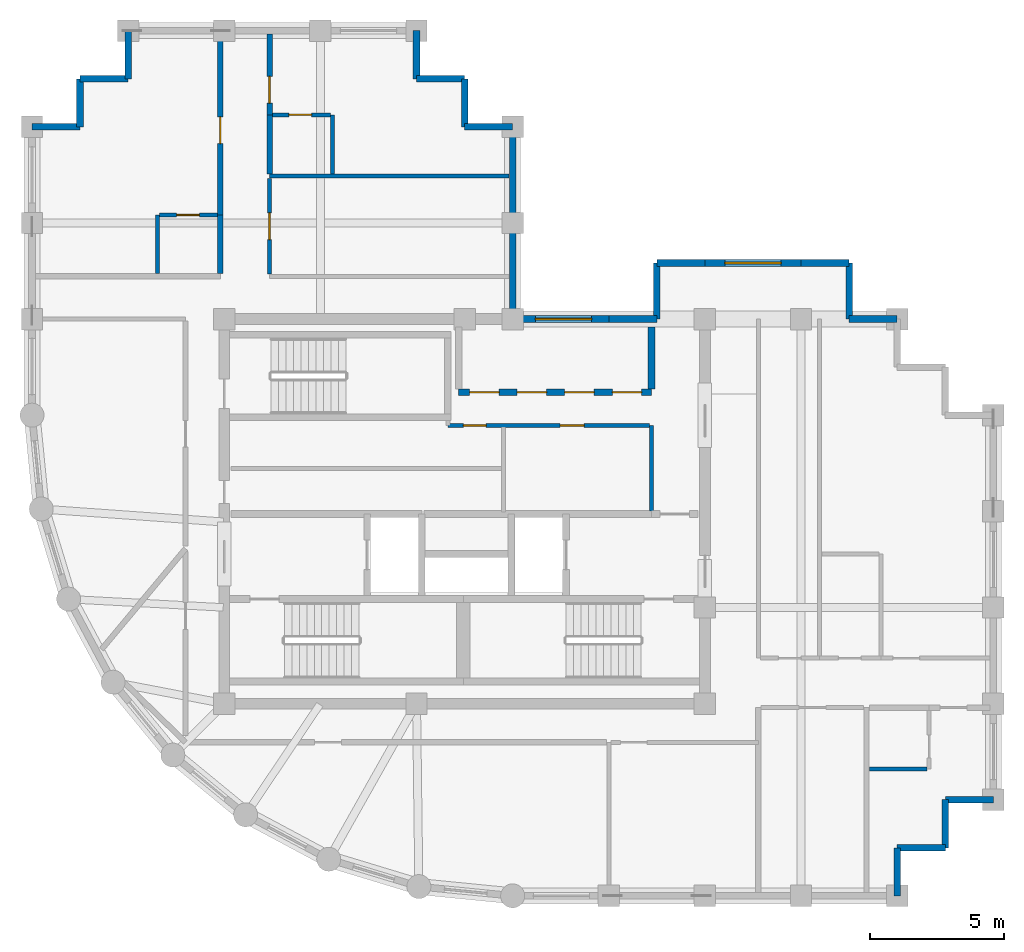
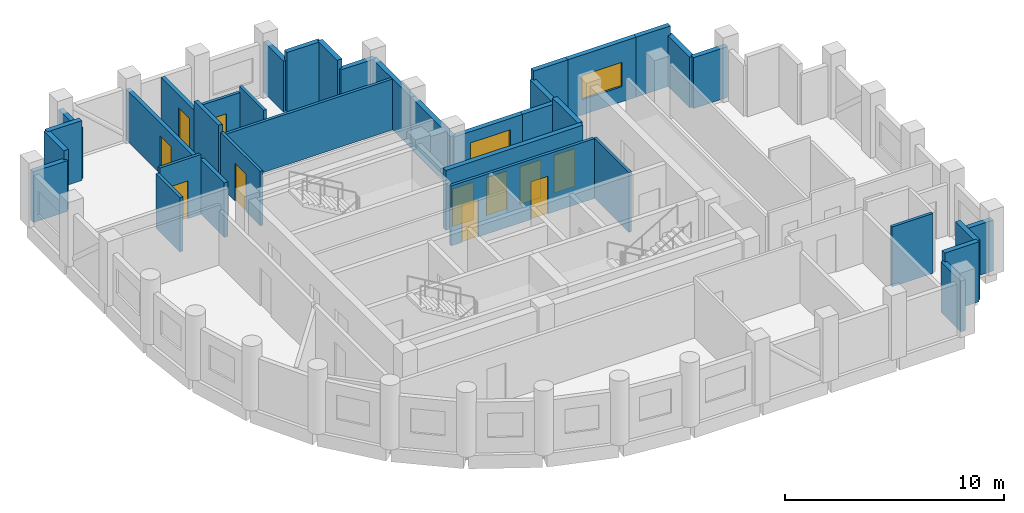
# One storey, part 4 of 6: 37 walls, 11 doors, 2 windows, 13 openings.
"""IFC4 building model written with IfcOpenShell, lengths in metres."""

from ifc_helpers import new_model, si_unit, direction, frame, frame_2d, origin, place, context, subcontext, project, spatial, rectangle, extrude, material, layer, layer_set, type_object, element, fill, save


model = new_model("IFC4")

# Units and contexts
model_context = context("Model", 3, precision=1e-05, world=origin(), true_north=direction((0.0, 1.0)))
body_context = subcontext(model_context, "Body", "Model", "MODEL_VIEW")
ifc_project = project(units=[si_unit("LENGTHUNIT", "METRE"), si_unit("AREAUNIT", "SQUARE_METRE"), si_unit("VOLUMEUNIT", "CUBIC_METRE"), si_unit("PLANEANGLEUNIT", "RADIAN"), si_unit("MASSUNIT", "GRAM", prefix="KILO")], contexts=[model_context])

# Site, building, storey
site_placement = place(None, origin())
site = spatial("IfcSite", under=ifc_project, at=site_placement, CompositionType="ELEMENT")
building_placement = place(site_placement, origin())
building = spatial("IfcBuilding", under=site, at=building_placement, Name="Solnavia Interchange Tower", CompositionType="ELEMENT")
storey_placement = place(building_placement, frame((0.0, 0.0, 255.800048828125)))
storey = spatial("IfcBuildingStorey", under=building, at=storey_placement, Name="L64", CompositionType="ELEMENT", Elevation=255.800048828125)

# Wall
ifc_material_1 = material(Name="Gypsum Acoustic Twin-Stud & Mineral Wool", Category="gypsum")
ifc_layer_1 = layer(ifc_material_1, 0.199951171875)
ifc_layer_set_1 = layer_set([ifc_layer_1], Name="Gypsum Acoustic Twin-Stud & Mineral Wool")
wall_type_1 = type_object("IfcWallType", Name="Wall-ApartmentParty-200", PredefinedType="PARTITIONING", material=ifc_layer_set_1)
wall_1_placement = place(storey_placement, frame((14.25, 26.904052734375, 0.0), z_axis=(0.0, 0.0, 1.0), x_axis=(0.0, 1.0, 0.0)))
element("IfcWall", 1, at=wall_1_placement, inside=storey, type_object=wall_type_1, Name="PTW-L64-24 Interior partition wall", PredefinedType="PARTITIONING", context=body_context, shape_type="SweptSolid", body=[
    extrude(rectangle(XDim=2.196044921875, YDim=0.199951171875, at=frame_2d((1.09814453125, 0.0))), origin(), (0.0, 0.0, 1.0), 3.030029296875),
])

# Wall, opening, door
wall_2_placement = place(storey_placement, frame((14.25, 29.10009765625, 0.0), z_axis=(0.0, 0.0, 1.0), x_axis=(0.0, 1.0, 0.0)))
wall_2 = element("IfcWall", 2, at=wall_2_placement, inside=storey, type_object=wall_type_1, Name="PTW-L64-25 Interior partition wall", PredefinedType="PARTITIONING", context=body_context, shape_type="SweptSolid", body=[
    extrude(rectangle(XDim=6.77099609375, YDim=0.199951171875, at=frame_2d((3.385498046875, 0.0))), origin(), (0.0, 0.0, 1.0), 2.829833984375),
])
opening_1_placement = place(wall_2_placement, frame((2.6708984375, 0.0, 0.0)))
opening_1 = element("IfcOpeningElement", 3, at=opening_1_placement, cuts=wall_2, Name="Opening DR-06", PredefinedType="OPENING", context=body_context, shape_type="SweptSolid", body=[
    extrude(rectangle(XDim=1.0, YDim=2.10009765625, at=frame_2d((0.5, 1.050048828125))), frame((0.0, 0.10986328125, 0.0), z_axis=(0.0, -1.0, 0.0), x_axis=(1.0, 0.0, 0.0)), (0.0, 0.0, 1.0), 0.219970703125),
])
ifc_material_2 = material(Name="Engineered Timber Acoustic Fire Door", Category="wood")
door_type_1 = type_object("IfcDoorType", Name="Door-FlatEntry-1000x2100", OperationType="SINGLE_SWING_LEFT", PredefinedType="DOOR", material=ifc_material_2)
door_1_placement = place(opening_1_placement, origin())
door_1 = element("IfcDoor", 4, at=door_1_placement, inside=storey, type_object=door_type_1, Name="DR-L64-11 Interior room door", OperationType="SINGLE_SWING_RIGHT", OverallHeight=2.10009765625, OverallWidth=1.0, PredefinedType="DOOR", context=body_context, shape_type="SweptSolid", body=[
    extrude(rectangle(XDim=1.0, YDim=2.10009765625, at=frame_2d((0.5, 1.050048828125))), frame((0.0, 0.02490234375, 0.0), z_axis=(0.0, -1.0, 0.0), x_axis=(1.0, 0.0, 0.0)), (0.0, 0.0, 1.0), 0.050048828125),
])
fill(opening_1, door_1)

# Wall
wall_3_placement = place(storey_placement, frame((16.10009765625, 30.62890625, 0.0), z_axis=(0.0, 0.0, 1.0), x_axis=(0.0, 1.0, 0.0)))
element("IfcWall", 5, at=wall_3_placement, inside=storey, type_object=wall_type_1, Name="PTW-L64-31 Interior partition wall", PredefinedType="PARTITIONING", context=body_context, shape_type="SweptSolid", body=[
    extrude(rectangle(XDim=2.22119140625, YDim=0.199951171875, at=frame_2d((1.110595703125, 0.0))), origin(), (0.0, 0.0, 1.0), 3.3349609375),
])

# Wall, opening, door
wall_4_placement = place(storey_placement, frame((16.10009765625, 32.85009765625, 0.0), z_axis=(0.0, 0.0, 1.0), x_axis=(0.0, 1.0, 0.0)))
wall_4 = element("IfcWall", 6, at=wall_4_placement, inside=storey, type_object=wall_type_1, Name="PTW-L64-32 Interior partition wall", PredefinedType="PARTITIONING", context=body_context, shape_type="SweptSolid", body=[
    extrude(rectangle(XDim=3.02099609375, YDim=0.199951171875, at=frame_2d((1.510498046875, 0.0))), origin(), (0.0, 0.0, 1.0), 2.829833984375),
])
opening_2_placement = place(wall_4_placement, frame((0.43896484375, 0.0, 0.0)))
opening_2 = element("IfcOpeningElement", 7, at=opening_2_placement, cuts=wall_4, Name="Opening DR-06", PredefinedType="OPENING", context=body_context, shape_type="SweptSolid", body=[
    extrude(rectangle(XDim=1.0, YDim=2.10009765625, at=frame_2d((0.5, 1.050048828125))), frame((0.0, 0.10986328125, 0.0), z_axis=(0.0, -1.0, 0.0), x_axis=(1.0, 0.0, 0.0)), (0.0, 0.0, 1.0), 0.219970703125),
])
door_2_placement = place(opening_2_placement, origin())
door_2 = element("IfcDoor", 8, at=door_2_placement, inside=storey, type_object=door_type_1, Name="DR-L64-14 Interior room door", OperationType="SINGLE_SWING_LEFT", OverallHeight=2.10009765625, OverallWidth=1.0, PredefinedType="DOOR", context=body_context, shape_type="SweptSolid", body=[
    extrude(rectangle(XDim=1.0, YDim=2.10009765625, at=frame_2d((0.5, 1.050048828125))), frame((0.0, 0.02490234375, 0.0), z_axis=(0.0, -1.0, 0.0), x_axis=(1.0, 0.0, 0.0)), (0.0, 0.0, 1.0), 0.050048828125),
])
fill(opening_2, door_2)

# Walls
ifc_material_3 = material(Name="Concrete C40/50", Category="concrete")
ifc_layer_2 = layer(ifc_material_3, 0.25)
ifc_layer_set_2 = layer_set([ifc_layer_2], Name="Concrete C40/50")
wall_type_2 = type_object("IfcWallType", Name="Wall-ExtSpandrel-250", PredefinedType="STANDARD", material=ifc_layer_set_2)
wall_5_placement = place(storey_placement, frame((39.60009765625, 5.39990234375, 0.0), z_axis=(0.0, 0.0, 1.0), x_axis=(0.0, -1.0, 0.0)))
element("IfcWall", 9, at=wall_5_placement, inside=storey, type_object=wall_type_2, Name="EXW-L64-05 Exterior precast spandrel wall", PredefinedType="STANDARD", context=body_context, shape_type="SweptSolid", body=[
    extrude(rectangle(XDim=1.7998046875, YDim=0.25, at=frame_2d((0.89990234375, 0.0))), origin(), (0.0, 0.0, 1.0), 2.829833984375),
])
wall_6_placement = place(storey_placement, frame((41.39990234375, 5.39990234375, 0.0), z_axis=(0.0, 0.0, 1.0), x_axis=(-1.0, 0.0, 0.0)))
element("IfcWall", 10, at=wall_6_placement, inside=storey, type_object=wall_type_2, Name="EXW-L64-06 Exterior precast spandrel wall", PredefinedType="STANDARD", context=body_context, shape_type="SweptSolid", body=[
    extrude(rectangle(XDim=1.7998046875, YDim=0.25, at=frame_2d((0.89990234375, 0.0))), origin(), (0.0, 0.0, 1.0), 3.3349609375),
])
wall_7_placement = place(storey_placement, frame((41.39990234375, 7.199951171875, 0.0), z_axis=(0.0, 0.0, 1.0), x_axis=(0.0, -1.0, 0.0)))
element("IfcWall", 11, at=wall_7_placement, inside=storey, type_object=wall_type_2, Name="EXW-L64-07 Exterior precast spandrel wall", PredefinedType="STANDARD", context=body_context, shape_type="SweptSolid", body=[
    extrude(rectangle(XDim=1.800048828125, YDim=0.25, at=frame_2d((0.89990234375, 0.0))), origin(), (0.0, 0.0, 1.0), 3.3349609375),
])
for number, where, z_axis, x_axis, name in (
    (12, (43.199951171875, 7.199951171875, 0.0), (0.0, 0.0, 1.0), (-1.0, 0.0, 0.0), "EXW-L64-08 Exterior precast spandrel wall"),
    (13, (37.800048828125, 25.199951171875, 0.0), (0.0, 0.0, 1.0), (1.0, 0.0, 0.0), "EXW-L64-17 Exterior precast spandrel wall"),
):
    element("IfcWall", number, at=place(storey_placement, frame(where, z_axis=z_axis, x_axis=x_axis)), inside=storey, type_object=wall_type_2, Name=name, PredefinedType="STANDARD", context=body_context, shape_type="SweptSolid", body=[
        extrude(rectangle(XDim=1.800048828125, YDim=0.25, at=frame_2d((0.89990234375, 0.0))), origin(), (0.0, 0.0, 1.0), 2.829833984375),
    ])
wall_8_placement = place(storey_placement, frame((37.800048828125, 27.300048828125, 0.0), z_axis=(0.0, 0.0, 1.0), x_axis=(0.0, -1.0, 0.0)))
element("IfcWall", 14, at=wall_8_placement, inside=storey, type_object=wall_type_2, Name="EXW-L64-18 Exterior precast spandrel wall", PredefinedType="STANDARD", context=body_context, shape_type="SweptSolid", body=[
    extrude(rectangle(XDim=2.10009765625, YDim=0.25, at=frame_2d((1.050048828125, 0.0))), origin(), (0.0, 0.0, 1.0), 2.829833984375),
])
wall_9_placement = place(storey_placement, frame((36.0, 27.300048828125, 0.0), z_axis=(0.0, 0.0, 1.0), x_axis=(1.0, 0.0, 0.0)))
element("IfcWall", 15, at=wall_9_placement, inside=storey, type_object=wall_type_2, Name="EXW-L64-19 Exterior precast spandrel wall", PredefinedType="STANDARD", context=body_context, shape_type="SweptSolid", body=[
    extrude(rectangle(XDim=1.800048828125, YDim=0.25, at=frame_2d((0.89990234375, 0.0))), origin(), (0.0, 0.0, 1.0), 3.3349609375),
])

# Wall, opening, window
wall_10_placement = place(storey_placement, frame((32.39990234375, 27.300048828125, 0.0), z_axis=(0.0, 0.0, 1.0), x_axis=(1.0, 0.0, 0.0)))
wall_10 = element("IfcWall", 16, at=wall_10_placement, inside=storey, type_object=wall_type_2, Name="EXW-L64-20 Exterior precast spandrel wall", PredefinedType="STANDARD", context=body_context, shape_type="SweptSolid", body=[
    extrude(rectangle(XDim=3.60009765625, YDim=0.25, at=frame_2d((1.800048828125, 0.0))), origin(), (0.0, 0.0, 1.0), 3.3349609375),
])
opening_3_placement = place(wall_10_placement, frame((0.75, 0.0, 0.85009765625)))
opening_3 = element("IfcOpeningElement", 17, at=opening_3_placement, cuts=wall_10, Name="Opening WIN-01", PredefinedType="OPENING", context=body_context, shape_type="SweptSolid", body=[
    extrude(rectangle(XDim=2.10009765625, YDim=1.35009765625, at=frame_2d((1.050048828125, 0.675048828125))), frame((0.0, 0.135009765625, 0.0), z_axis=(0.0, -1.0, 0.0), x_axis=(1.0, 0.0, 0.0)), (0.0, 0.0, 1.0), 0.27001953125),
])
ifc_material_4 = material(Name="Thermal-Break Aluminium & Low-E Glass", Category="aluminium")
window_type = type_object("IfcWindowType", Name="Window-Ribbon-2100x1350", PartitioningType="SINGLE_PANEL", PredefinedType="WINDOW", material=ifc_material_4)
window_1_placement = place(opening_3_placement, origin())
window_1 = element("IfcWindow", 18, at=window_1_placement, inside=storey, type_object=window_type, Name="WIN-L64-20 Facade ribbon window", OverallHeight=1.35009765625, OverallWidth=2.10009765625, PartitioningType="SINGLE_PANEL", PredefinedType="WINDOW", context=body_context, shape_type="SweptSolid", body=[
    extrude(rectangle(XDim=2.10009765625, YDim=1.35009765625, at=frame_2d((1.050048828125, 0.675048828125))), frame((0.0, 0.030029296875, 0.0), z_axis=(0.0, -1.0, 0.0), x_axis=(1.0, 0.0, 0.0)), (0.0, 0.0, 1.0), 0.06005859375),
])
fill(opening_3, window_1)

# Walls
wall_11_placement = place(storey_placement, frame((30.60009765625, 27.300048828125, 0.0), z_axis=(0.0, 0.0, 1.0), x_axis=(1.0, 0.0, 0.0)))
element("IfcWall", 19, at=wall_11_placement, inside=storey, type_object=wall_type_2, Name="EXW-L64-21 Exterior precast spandrel wall", PredefinedType="STANDARD", context=body_context, shape_type="SweptSolid", body=[
    extrude(rectangle(XDim=1.7998046875, YDim=0.25, at=frame_2d((0.89990234375, 0.0))), origin(), (0.0, 0.0, 1.0), 3.3349609375),
])
wall_12_placement = place(storey_placement, frame((30.60009765625, 27.300048828125, 0.0), z_axis=(0.0, 0.0, 1.0), x_axis=(0.0, -1.0, 0.0)))
element("IfcWall", 20, at=wall_12_placement, inside=storey, type_object=wall_type_2, Name="EXW-L64-22 Exterior precast spandrel wall", PredefinedType="STANDARD", context=body_context, shape_type="SweptSolid", body=[
    extrude(rectangle(XDim=2.10009765625, YDim=0.25, at=frame_2d((1.050048828125, 0.0))), origin(), (0.0, 0.0, 1.0), 2.829833984375),
])
wall_13_placement = place(storey_placement, frame((28.800048828125, 25.199951171875, 0.0), z_axis=(0.0, 0.0, 1.0), x_axis=(1.0, 0.0, 0.0)))
element("IfcWall", 21, at=wall_13_placement, inside=storey, type_object=wall_type_2, Name="EXW-L64-23 Exterior precast spandrel wall", PredefinedType="STANDARD", context=body_context, shape_type="SweptSolid", body=[
    extrude(rectangle(XDim=1.800048828125, YDim=0.25, at=frame_2d((0.89990234375, 0.0))), origin(), (0.0, 0.0, 1.0), 2.829833984375),
])

# Wall, opening, window
wall_14_placement = place(storey_placement, frame((25.199951171875, 25.199951171875, 0.0), z_axis=(0.0, 0.0, 1.0), x_axis=(1.0, 0.0, 0.0)))
wall_14 = element("IfcWall", 22, at=wall_14_placement, inside=storey, type_object=wall_type_2, Name="EXW-L64-24 Exterior precast spandrel wall", PredefinedType="STANDARD", context=body_context, shape_type="SweptSolid", body=[
    extrude(rectangle(XDim=3.60009765625, YDim=0.25, at=frame_2d((1.800048828125, 0.0))), origin(), (0.0, 0.0, 1.0), 2.829833984375),
])
opening_4_placement = place(wall_14_placement, frame((0.85498046875, 0.0, 0.85009765625)))
opening_4 = element("IfcOpeningElement", 23, at=opening_4_placement, cuts=wall_14, Name="Opening WIN-01", PredefinedType="OPENING", context=body_context, shape_type="SweptSolid", body=[
    extrude(rectangle(XDim=2.10009765625, YDim=1.35009765625, at=frame_2d((1.050048828125, 0.675048828125))), frame((0.0, 0.135009765625, 0.0), z_axis=(0.0, -1.0, 0.0), x_axis=(1.0, 0.0, 0.0)), (0.0, 0.0, 1.0), 0.27001953125),
])
window_2_placement = place(opening_4_placement, origin())
window_2 = element("IfcWindow", 24, at=window_2_placement, inside=storey, type_object=window_type, Name="WIN-L64-24 Facade ribbon window", OverallHeight=1.35009765625, OverallWidth=2.10009765625, PartitioningType="SINGLE_PANEL", PredefinedType="WINDOW", context=body_context, shape_type="SweptSolid", body=[
    extrude(rectangle(XDim=2.10009765625, YDim=1.35009765625, at=frame_2d((1.050048828125, 0.675048828125))), frame((0.0, 0.030029296875, 0.0), z_axis=(0.0, -1.0, 0.0), x_axis=(1.0, 0.0, 0.0)), (0.0, 0.0, 1.0), 0.06005859375),
])
fill(opening_4, window_2)

# Walls
wall_15_placement = place(storey_placement, frame((25.199951171875, 28.800048828125, 0.0), z_axis=(0.0, 0.0, 1.0), x_axis=(0.0, -1.0, 0.0)))
element("IfcWall", 25, at=wall_15_placement, inside=storey, type_object=wall_type_2, Name="EXW-L64-25 Exterior precast spandrel wall", PredefinedType="STANDARD", context=body_context, shape_type="SweptSolid", body=[
    extrude(rectangle(XDim=3.60009765625, YDim=0.25, at=frame_2d((1.800048828125, 0.0))), origin(), (0.0, 0.0, 1.0), 2.829833984375),
])
wall_16_placement = place(storey_placement, frame((25.199951171875, 32.39990234375, 0.0), z_axis=(0.0, 0.0, 1.0), x_axis=(0.0, -1.0, 0.0)))
element("IfcWall", 26, at=wall_16_placement, inside=storey, type_object=wall_type_2, Name="EXW-L64-26 Exterior precast spandrel wall", PredefinedType="STANDARD", context=body_context, shape_type="SweptSolid", body=[
    extrude(rectangle(XDim=3.599853515625, YDim=0.25, at=frame_2d((1.7998046875, 0.0))), origin(), (0.0, 0.0, 1.0), 2.829833984375),
])
wall_17_placement = place(storey_placement, frame((23.39990234375, 32.39990234375, 0.0), z_axis=(0.0, 0.0, 1.0), x_axis=(1.0, 0.0, 0.0)))
element("IfcWall", 27, at=wall_17_placement, inside=storey, type_object=wall_type_2, Name="EXW-L64-27 Exterior precast spandrel wall", PredefinedType="STANDARD", context=body_context, shape_type="SweptSolid", body=[
    extrude(rectangle(XDim=1.800048828125, YDim=0.25, at=frame_2d((0.89990234375, 0.0))), origin(), (0.0, 0.0, 1.0), 2.829833984375),
])
wall_18_placement = place(storey_placement, frame((23.39990234375, 32.39990234375, 0.0), z_axis=(0.0, 0.0, 1.0), x_axis=(0.0, 1.0, 0.0)))
element("IfcWall", 28, at=wall_18_placement, inside=storey, type_object=wall_type_2, Name="EXW-L64-28 Exterior precast spandrel wall", PredefinedType="STANDARD", context=body_context, shape_type="SweptSolid", body=[
    extrude(rectangle(XDim=1.800048828125, YDim=0.25, at=frame_2d((0.89990234375, 0.0))), origin(), (0.0, 0.0, 1.0), 3.3349609375),
])
wall_19_placement = place(storey_placement, frame((21.60009765625, 34.199951171875, 0.0), z_axis=(0.0, 0.0, 1.0), x_axis=(1.0, 0.0, 0.0)))
element("IfcWall", 29, at=wall_19_placement, inside=storey, type_object=wall_type_2, Name="EXW-L64-29 Exterior precast spandrel wall", PredefinedType="STANDARD", context=body_context, shape_type="SweptSolid", body=[
    extrude(rectangle(XDim=1.7998046875, YDim=0.25, at=frame_2d((0.89990234375, 0.0))), origin(), (0.0, 0.0, 1.0), 3.3349609375),
])
for number, where, z_axis, x_axis, name in (
    (30, (21.60009765625, 34.199951171875, 0.0), (0.0, 0.0, 1.0), (0.0, 1.0, 0.0), "EXW-L64-30 Exterior precast spandrel wall"),
    (31, (10.800048828125, 34.199951171875, 0.0), (0.0, 0.0, 1.0), (0.0, 1.0, 0.0), "EXW-L64-34 Exterior precast spandrel wall"),
):
    element("IfcWall", number, at=place(storey_placement, frame(where, z_axis=z_axis, x_axis=x_axis)), inside=storey, type_object=wall_type_2, Name=name, PredefinedType="STANDARD", context=body_context, shape_type="SweptSolid", body=[
        extrude(rectangle(XDim=1.800048828125, YDim=0.25, at=frame_2d((0.89990234375, 0.0))), origin(), (0.0, 0.0, 1.0), 2.829833984375),
    ])
for number, where, z_axis, x_axis, name in (
    (32, (9.0, 34.199951171875, 0.0), (0.0, 0.0, 1.0), (1.0, 0.0, 0.0), "EXW-L64-35 Exterior precast spandrel wall"),
    (33, (9.0, 32.39990234375, 0.0), (0.0, 0.0, 1.0), (0.0, 1.0, 0.0), "EXW-L64-36 Exterior precast spandrel wall"),
):
    element("IfcWall", number, at=place(storey_placement, frame(where, z_axis=z_axis, x_axis=x_axis)), inside=storey, type_object=wall_type_2, Name=name, PredefinedType="STANDARD", context=body_context, shape_type="SweptSolid", body=[
        extrude(rectangle(XDim=1.800048828125, YDim=0.25, at=frame_2d((0.89990234375, 0.0))), origin(), (0.0, 0.0, 1.0), 3.3349609375),
    ])
wall_20_placement = place(storey_placement, frame((7.199951171875, 32.39990234375, 0.0), z_axis=(0.0, 0.0, 1.0), x_axis=(1.0, 0.0, 0.0)))
element("IfcWall", 34, at=wall_20_placement, inside=storey, type_object=wall_type_2, Name="EXW-L64-37 Exterior precast spandrel wall", PredefinedType="STANDARD", context=body_context, shape_type="SweptSolid", body=[
    extrude(rectangle(XDim=1.800048828125, YDim=0.25, at=frame_2d((0.89990234375, 0.0))), origin(), (0.0, 0.0, 1.0), 2.829833984375),
])

# Wall, openings, doors
ifc_material_5 = material(Name="Gypsum Plasterboard & Steel Stud", Category="steel")
ifc_layer_3 = layer(ifc_material_5, 0.14990234375)
ifc_layer_set_3 = layer_set([ifc_layer_3], Name="Gypsum Plasterboard & Steel Stud")
wall_type_3 = type_object("IfcWallType", Name="Wall-Partition-150", PredefinedType="PARTITIONING", material=ifc_layer_set_3)
wall_21_placement = place(storey_placement, frame((22.77490234375, 21.219970703125, 0.0), z_axis=(0.0, 0.0, 1.0), x_axis=(1.0, 0.0, 0.0)))
wall_21 = element("IfcWall", 35, at=wall_21_placement, inside=storey, type_object=wall_type_3, Name="CSW-L64-N-ALL Core shaft wall", PredefinedType="PARTITIONING", context=body_context, shape_type="SweptSolid", body=[
    extrude(rectangle(XDim=7.545166015625, YDim=0.14990234375, at=frame_2d((3.7724609375, 0.0))), origin(), (0.0, 0.0, 1.0), 3.3349609375),
])
opening_5_placement = place(wall_21_placement, frame((0.580078125, 0.0, 0.0)))
opening_5 = element("IfcOpeningElement", 36, at=opening_5_placement, cuts=wall_21, Name="Opening DR-10", PredefinedType="OPENING", context=body_context, shape_type="SweptSolid", body=[
    extrude(rectangle(XDim=0.85009765625, YDim=2.10009765625, at=frame_2d((0.425048828125, 1.050048828125))), frame((0.0, 0.0849609375, 0.0), z_axis=(0.0, -1.0, 0.0), x_axis=(1.0, 0.0, 0.0)), (0.0, 0.0, 1.0), 0.169921875),
])
opening_6_placement = place(wall_21_placement, frame((4.199951171875, 0.0, 0.0)))
opening_6 = element("IfcOpeningElement", 37, at=opening_6_placement, cuts=wall_21, Name="Opening DR-09", PredefinedType="OPENING", context=body_context, shape_type="SweptSolid", body=[
    extrude(rectangle(XDim=0.89990234375, YDim=2.10009765625, at=frame_2d((0.449951171875, 1.050048828125))), frame((0.0, 0.0849609375, 0.0), z_axis=(0.0, -1.0, 0.0), x_axis=(1.0, 0.0, 0.0)), (0.0, 0.0, 1.0), 0.169921875),
])
ifc_material_6 = material(Name="Moisture-Resistant Timber Door", Category="wood")
door_type_2 = type_object("IfcDoorType", Name="Door-Bathroom-850x2100", OperationType="SINGLE_SWING_RIGHT", PredefinedType="DOOR", material=ifc_material_6)
door_3_placement = place(opening_5_placement, origin())
door_3 = element("IfcDoor", 38, at=door_3_placement, inside=storey, type_object=door_type_2, Name="DR-L64-CS2 Core fire door", OperationType="SINGLE_SWING_LEFT", OverallHeight=2.10009765625, OverallWidth=0.85009765625, PredefinedType="DOOR", context=body_context, shape_type="SweptSolid", body=[
    extrude(rectangle(XDim=0.85009765625, YDim=2.10009765625, at=frame_2d((0.425048828125, 1.050048828125))), frame((0.0, 0.02490234375, 0.0), z_axis=(0.0, -1.0, 0.0), x_axis=(1.0, 0.0, 0.0)), (0.0, 0.0, 1.0), 0.050048828125),
])
fill(opening_5, door_3)
ifc_material_7 = material(Name="Engineered Oak Veneer Door", Category="wood")
door_type_3 = type_object("IfcDoorType", Name="Door-Internal-900x2100", OperationType="SINGLE_SWING_LEFT", PredefinedType="DOOR", material=ifc_material_7)
door_4_placement = place(opening_6_placement, origin())
door_4 = element("IfcDoor", 39, at=door_4_placement, inside=storey, type_object=door_type_3, Name="DR-L64-CS3 Core fire door", OperationType="SINGLE_SWING_RIGHT", OverallHeight=2.10009765625, OverallWidth=0.89990234375, PredefinedType="DOOR", context=body_context, shape_type="SweptSolid", body=[
    extrude(rectangle(XDim=0.89990234375, YDim=2.10009765625, at=frame_2d((0.449951171875, 1.050048828125))), frame((0.0, 0.02490234375, 0.0), z_axis=(0.0, -1.0, 0.0), x_axis=(1.0, 0.0, 0.0)), (0.0, 0.0, 1.0), 0.050048828125),
])
fill(opening_6, door_4)

# Walls
wall_22_placement = place(storey_placement, frame((30.39990234375, 18.02001953125, 0.0), z_axis=(0.0, 0.0, 1.0), x_axis=(0.0, 1.0, 0.0)))
element("IfcWall", 40, at=wall_22_placement, inside=storey, type_object=wall_type_3, Name="CSW-L64-E-E Core shaft wall", PredefinedType="PARTITIONING", context=body_context, shape_type="SweptSolid", body=[
    extrude(rectangle(XDim=3.199951171875, YDim=0.14990234375, at=frame_2d((1.60009765625, 0.0))), origin(), (0.0, 0.0, 1.0), 3.3349609375),
])
wall_23_placement = place(storey_placement, frame((16.10009765625, 30.550048828125, 0.0), z_axis=(0.0, 0.0, 1.0), x_axis=(1.0, 0.0, 0.0)))
element("IfcWall", 41, at=wall_23_placement, inside=storey, type_object=wall_type_3, Name="PTW-L64-29 Interior partition wall", PredefinedType="PARTITIONING", context=body_context, shape_type="SweptSolid", body=[
    extrude(rectangle(XDim=8.970947265625, YDim=0.14990234375, at=frame_2d((4.4853515625, 0.0))), origin(), (0.0, 0.0, 1.0), 2.829833984375),
])

# Wall, opening, door
wall_24_placement = place(storey_placement, frame((16.10009765625, 26.87890625, 0.0), z_axis=(0.0, 0.0, 1.0), x_axis=(0.0, 1.0, 0.0)))
wall_24 = element("IfcWall", 42, at=wall_24_placement, inside=storey, type_object=wall_type_3, Name="PTW-L64-30 Interior partition wall", PredefinedType="PARTITIONING", context=body_context, shape_type="SweptSolid", body=[
    extrude(rectangle(XDim=3.592041015625, YDim=0.14990234375, at=frame_2d((1.7958984375, 0.0))), origin(), (0.0, 0.0, 1.0), 3.030029296875),
])
opening_7_placement = place(wall_24_placement, frame((1.2958984375, 0.0, 0.0)))
opening_7 = element("IfcOpeningElement", 43, at=opening_7_placement, cuts=wall_24, Name="Opening DR-07", PredefinedType="OPENING", context=body_context, shape_type="SweptSolid", body=[
    extrude(rectangle(XDim=1.0, YDim=2.10009765625, at=frame_2d((0.5, 1.050048828125))), frame((0.0, 0.0849609375, 0.0), z_axis=(0.0, -1.0, 0.0), x_axis=(1.0, 0.0, 0.0)), (0.0, 0.0, 1.0), 0.169921875),
])
ifc_material_8 = material(Name="Timber & Acoustic Glazed Office Door", Category="wood")
door_type_4 = type_object("IfcDoorType", Name="Door-Office-1000x2100", OperationType="SINGLE_SWING_RIGHT", PredefinedType="DOOR", material=ifc_material_8)
door_5_placement = place(opening_7_placement, origin())
door_5 = element("IfcDoor", 44, at=door_5_placement, inside=storey, type_object=door_type_4, Name="DR-L64-13 Interior room door", OperationType="SINGLE_SWING_LEFT", OverallHeight=2.10009765625, OverallWidth=1.0, PredefinedType="DOOR", context=body_context, shape_type="SweptSolid", body=[
    extrude(rectangle(XDim=1.0, YDim=2.10009765625, at=frame_2d((0.5, 1.050048828125))), frame((0.0, 0.02490234375, 0.0), z_axis=(0.0, -1.0, 0.0), x_axis=(1.0, 0.0, 0.0)), (0.0, 0.0, 1.0), 0.050048828125),
])
fill(opening_7, door_5)

# Wall, openings, doors
ifc_layer_4 = layer(ifc_material_3, 0.25)
ifc_layer_set_4 = layer_set([ifc_layer_4], Name="Concrete C40/50")
wall_type_4 = type_object("IfcWallType", Name="Wall-ShaftPart-250", PredefinedType="PARTITIONING", material=ifc_layer_set_4)
wall_25_placement = place(storey_placement, frame((23.179931640625, 22.4599609375, 0.0), z_axis=(0.0, 0.0, 1.0), x_axis=(1.0, 0.0, 0.0)))
wall_25 = element("IfcWall", 45, at=wall_25_placement, inside=storey, type_object=wall_type_4, Name="SHW-L64-B3S Core shaft wall", PredefinedType="PARTITIONING", context=body_context, shape_type="SweptSolid", body=[
    extrude(rectangle(XDim=7.219970703125, YDim=0.25, at=frame_2d((3.60986328125, 0.0))), origin(), (0.0, 0.0, 1.0), 3.3349609375),
])
opening_8_placement = place(wall_25_placement, frame((0.409912109375, 0.0, 0.0)))
opening_8 = element("IfcOpeningElement", 46, at=opening_8_placement, cuts=wall_25, Name="Opening LD-01", PredefinedType="OPENING", context=body_context, shape_type="SweptSolid", body=[
    extrude(rectangle(XDim=1.10009765625, YDim=2.10009765625, at=frame_2d((0.550048828125, 1.050048828125))), frame((0.0, 0.135009765625, 0.0), z_axis=(0.0, -1.0, 0.0), x_axis=(1.0, 0.0, 0.0)), (0.0, 0.0, 1.0), 0.27001953125),
])
opening_9_placement = place(wall_25_placement, frame((2.18994140625, 0.0, 0.0)))
opening_9 = element("IfcOpeningElement", 47, at=opening_9_placement, cuts=wall_25, Name="Opening LD-01", PredefinedType="OPENING", context=body_context, shape_type="SweptSolid", body=[
    extrude(rectangle(XDim=1.10009765625, YDim=2.10009765625, at=frame_2d((0.550048828125, 1.050048828125))), frame((0.0, 0.135009765625, 0.0), z_axis=(0.0, -1.0, 0.0), x_axis=(1.0, 0.0, 0.0)), (0.0, 0.0, 1.0), 0.27001953125),
])
opening_10_placement = place(wall_25_placement, frame((3.969970703125, 0.0, 0.0)))
opening_10 = element("IfcOpeningElement", 48, at=opening_10_placement, cuts=wall_25, Name="Opening LD-01", PredefinedType="OPENING", context=body_context, shape_type="SweptSolid", body=[
    extrude(rectangle(XDim=1.10009765625, YDim=2.10009765625, at=frame_2d((0.550048828125, 1.050048828125))), frame((0.0, 0.135009765625, 0.0), z_axis=(0.0, -1.0, 0.0), x_axis=(1.0, 0.0, 0.0)), (0.0, 0.0, 1.0), 0.27001953125),
])
opening_11_placement = place(wall_25_placement, frame((5.75, 0.0, 0.0)))
opening_11 = element("IfcOpeningElement", 49, at=opening_11_placement, cuts=wall_25, Name="Opening LD-01", PredefinedType="OPENING", context=body_context, shape_type="SweptSolid", body=[
    extrude(rectangle(XDim=1.10009765625, YDim=2.10009765625, at=frame_2d((0.550048828125, 1.050048828125))), frame((0.0, 0.135009765625, 0.0), z_axis=(0.0, -1.0, 0.0), x_axis=(1.0, 0.0, 0.0)), (0.0, 0.0, 1.0), 0.27001953125),
])
ifc_material_9 = material(Name="Brushed Stainless Steel Sliding Door", Category="steel")
door_type_5 = type_object("IfcDoorType", Name="Door-LiftLanding-1100x2100", OperationType="SLIDING_TO_LEFT", PredefinedType="DOOR", material=ifc_material_9)
door_6_placement = place(opening_8_placement, origin())
door_6 = element("IfcDoor", 50, at=door_6_placement, inside=storey, type_object=door_type_5, Name="LD-L64-B3-1 Lift landing sliding door", OperationType="SLIDING_TO_LEFT", OverallHeight=2.10009765625, OverallWidth=1.10009765625, PredefinedType="DOOR", context=body_context, shape_type="SweptSolid", body=[
    extrude(rectangle(XDim=1.10009765625, YDim=2.10009765625, at=frame_2d((0.550048828125, 1.050048828125))), frame((0.0, 0.02490234375, 0.0), z_axis=(0.0, -1.0, 0.0), x_axis=(1.0, 0.0, 0.0)), (0.0, 0.0, 1.0), 0.050048828125),
])
fill(opening_8, door_6)
door_7_placement = place(opening_9_placement, origin())
door_7 = element("IfcDoor", 51, at=door_7_placement, inside=storey, type_object=door_type_5, Name="LD-L64-B3-2 Lift landing sliding door", OperationType="SLIDING_TO_LEFT", OverallHeight=2.10009765625, OverallWidth=1.10009765625, PredefinedType="DOOR", context=body_context, shape_type="SweptSolid", body=[
    extrude(rectangle(XDim=1.10009765625, YDim=2.10009765625, at=frame_2d((0.550048828125, 1.050048828125))), frame((0.0, 0.02490234375, 0.0), z_axis=(0.0, -1.0, 0.0), x_axis=(1.0, 0.0, 0.0)), (0.0, 0.0, 1.0), 0.050048828125),
])
fill(opening_9, door_7)
door_8_placement = place(opening_10_placement, origin())
door_8 = element("IfcDoor", 52, at=door_8_placement, inside=storey, type_object=door_type_5, Name="LD-L64-B3-3 Lift landing sliding door", OperationType="SLIDING_TO_LEFT", OverallHeight=2.10009765625, OverallWidth=1.10009765625, PredefinedType="DOOR", context=body_context, shape_type="SweptSolid", body=[
    extrude(rectangle(XDim=1.10009765625, YDim=2.10009765625, at=frame_2d((0.550048828125, 1.050048828125))), frame((0.0, 0.02490234375, 0.0), z_axis=(0.0, -1.0, 0.0), x_axis=(1.0, 0.0, 0.0)), (0.0, 0.0, 1.0), 0.050048828125),
])
fill(opening_10, door_8)
door_9_placement = place(opening_11_placement, origin())
door_9 = element("IfcDoor", 53, at=door_9_placement, inside=storey, type_object=door_type_5, Name="LD-L64-B3-4 Lift landing sliding door", OperationType="SLIDING_TO_LEFT", OverallHeight=2.10009765625, OverallWidth=1.10009765625, PredefinedType="DOOR", context=body_context, shape_type="SweptSolid", body=[
    extrude(rectangle(XDim=1.10009765625, YDim=2.10009765625, at=frame_2d((0.550048828125, 1.050048828125))), frame((0.0, 0.02490234375, 0.0), z_axis=(0.0, -1.0, 0.0), x_axis=(1.0, 0.0, 0.0)), (0.0, 0.0, 1.0), 0.050048828125),
])
fill(opening_11, door_9)

# Walls
wall_26_placement = place(storey_placement, frame((30.39990234375, 22.5849609375, 0.0), z_axis=(0.0, 0.0, 1.0), x_axis=(0.0, 1.0, 0.0)))
element("IfcWall", 54, at=wall_26_placement, inside=storey, type_object=wall_type_4, Name="SHW-L64-B3E Core shaft wall", PredefinedType="PARTITIONING", context=body_context, shape_type="SweptSolid", body=[
    extrude(rectangle(XDim=2.31494140625, YDim=0.25, at=frame_2d((1.157470703125, 0.0))), origin(), (0.0, 0.0, 1.0), 3.3349609375),
])
ifc_material_10 = material(Name="Moisture-Resistant Gypsum & Steel Stud", Category="steel")
ifc_layer_5 = layer(ifc_material_10, 0.14990234375)
ifc_layer_set_5 = layer_set([ifc_layer_5], Name="Moisture-Resistant Gypsum & Steel Stud")
wall_type_5 = type_object("IfcWallType", Name="Wall-WetRoom-150", PredefinedType="PARTITIONING", material=ifc_layer_set_5)
wall_27_placement = place(storey_placement, frame((38.553955078125, 8.35009765625, 0.0), z_axis=(0.0, 0.0, 1.0), x_axis=(1.0, 0.0, 0.0)))
element("IfcWall", 55, at=wall_27_placement, inside=storey, type_object=wall_type_5, Name="PTW-L64-21 Interior partition wall", PredefinedType="PARTITIONING", context=body_context, shape_type="SweptSolid", body=[
    extrude(rectangle(XDim=2.1669921875, YDim=0.14990234375, at=frame_2d((1.08349609375, 0.0))), origin(), (0.0, 0.0, 1.0), 3.3349609375),
])
wall_28_placement = place(storey_placement, frame((11.89990234375, 26.904052734375, 0.0), z_axis=(0.0, 0.0, 1.0), x_axis=(0.0, 1.0, 0.0)))
element("IfcWall", 56, at=wall_28_placement, inside=storey, type_object=wall_type_5, Name="PTW-L64-26 Interior partition wall", PredefinedType="PARTITIONING", context=body_context, shape_type="SweptSolid", body=[
    extrude(rectangle(XDim=2.196044921875, YDim=0.14990234375, at=frame_2d((1.09814453125, 0.0))), origin(), (0.0, 0.0, 1.0), 3.030029296875),
])

# Wall, opening, door
wall_29_placement = place(storey_placement, frame((11.97900390625, 29.10009765625, 0.0), z_axis=(0.0, 0.0, 1.0), x_axis=(1.0, 0.0, 0.0)))
wall_29 = element("IfcWall", 57, at=wall_29_placement, inside=storey, type_object=wall_type_5, Name="PTW-L64-27 Interior partition wall", PredefinedType="PARTITIONING", context=body_context, shape_type="SweptSolid", body=[
    extrude(rectangle(XDim=2.1669921875, YDim=0.14990234375, at=frame_2d((1.08349609375, 0.0))), origin(), (0.0, 0.0, 1.0), 3.3349609375),
])
opening_12_placement = place(wall_29_placement, frame((0.64111328125, 0.0, 0.0)))
opening_12 = element("IfcOpeningElement", 58, at=opening_12_placement, cuts=wall_29, Name="Opening DR-10", PredefinedType="OPENING", context=body_context, shape_type="SweptSolid", body=[
    extrude(rectangle(XDim=0.85009765625, YDim=2.10009765625, at=frame_2d((0.425048828125, 1.050048828125))), frame((0.0, 0.0849609375, 0.0), z_axis=(0.0, -1.0, 0.0), x_axis=(1.0, 0.0, 0.0)), (0.0, 0.0, 1.0), 0.169921875),
])
door_10_placement = place(opening_12_placement, origin())
door_10 = element("IfcDoor", 59, at=door_10_placement, inside=storey, type_object=door_type_2, Name="DR-L64-12 Interior room door", OperationType="SINGLE_SWING_RIGHT", OverallHeight=2.10009765625, OverallWidth=0.85009765625, PredefinedType="DOOR", context=body_context, shape_type="SweptSolid", body=[
    extrude(rectangle(XDim=0.85009765625, YDim=2.10009765625, at=frame_2d((0.425048828125, 1.050048828125))), frame((0.0, 0.02490234375, 0.0), z_axis=(0.0, -1.0, 0.0), x_axis=(1.0, 0.0, 0.0)), (0.0, 0.0, 1.0), 0.050048828125),
])
fill(opening_12, door_10)

# Wall
wall_30_placement = place(storey_placement, frame((18.449951171875, 30.62890625, 0.0), z_axis=(0.0, 0.0, 1.0), x_axis=(0.0, 1.0, 0.0)))
element("IfcWall", 60, at=wall_30_placement, inside=storey, type_object=wall_type_5, Name="PTW-L64-33 Interior partition wall", PredefinedType="PARTITIONING", context=body_context, shape_type="SweptSolid", body=[
    extrude(rectangle(XDim=2.22119140625, YDim=0.14990234375, at=frame_2d((1.110595703125, 0.0))), origin(), (0.0, 0.0, 1.0), 3.3349609375),
])

# Wall, opening, door
wall_31_placement = place(storey_placement, frame((16.2041015625, 32.85009765625, 0.0), z_axis=(0.0, 0.0, 1.0), x_axis=(1.0, 0.0, 0.0)))
wall_31 = element("IfcWall", 61, at=wall_31_placement, inside=storey, type_object=wall_type_5, Name="PTW-L64-34 Interior partition wall", PredefinedType="PARTITIONING", context=body_context, shape_type="SweptSolid", body=[
    extrude(rectangle(XDim=2.1669921875, YDim=0.14990234375, at=frame_2d((1.08349609375, 0.0))), origin(), (0.0, 0.0, 1.0), 3.030029296875),
])
opening_13_placement = place(wall_31_placement, frame((0.615966796875, 0.0, 0.0)))
opening_13 = element("IfcOpeningElement", 62, at=opening_13_placement, cuts=wall_31, Name="Opening DR-10", PredefinedType="OPENING", context=body_context, shape_type="SweptSolid", body=[
    extrude(rectangle(XDim=0.85009765625, YDim=2.10009765625, at=frame_2d((0.425048828125, 1.050048828125))), frame((0.0, 0.0849609375, 0.0), z_axis=(0.0, -1.0, 0.0), x_axis=(1.0, 0.0, 0.0)), (0.0, 0.0, 1.0), 0.169921875),
])
door_11_placement = place(opening_13_placement, origin())
door_11 = element("IfcDoor", 63, at=door_11_placement, inside=storey, type_object=door_type_2, Name="DR-L64-15 Interior room door", OperationType="SINGLE_SWING_RIGHT", OverallHeight=2.10009765625, OverallWidth=0.85009765625, PredefinedType="DOOR", context=body_context, shape_type="SweptSolid", body=[
    extrude(rectangle(XDim=0.85009765625, YDim=2.10009765625, at=frame_2d((0.425048828125, 1.050048828125))), frame((0.0, 0.02490234375, 0.0), z_axis=(0.0, -1.0, 0.0), x_axis=(1.0, 0.0, 0.0)), (0.0, 0.0, 1.0), 0.050048828125),
])
fill(opening_13, door_11)

save(model, "model.ifc")
